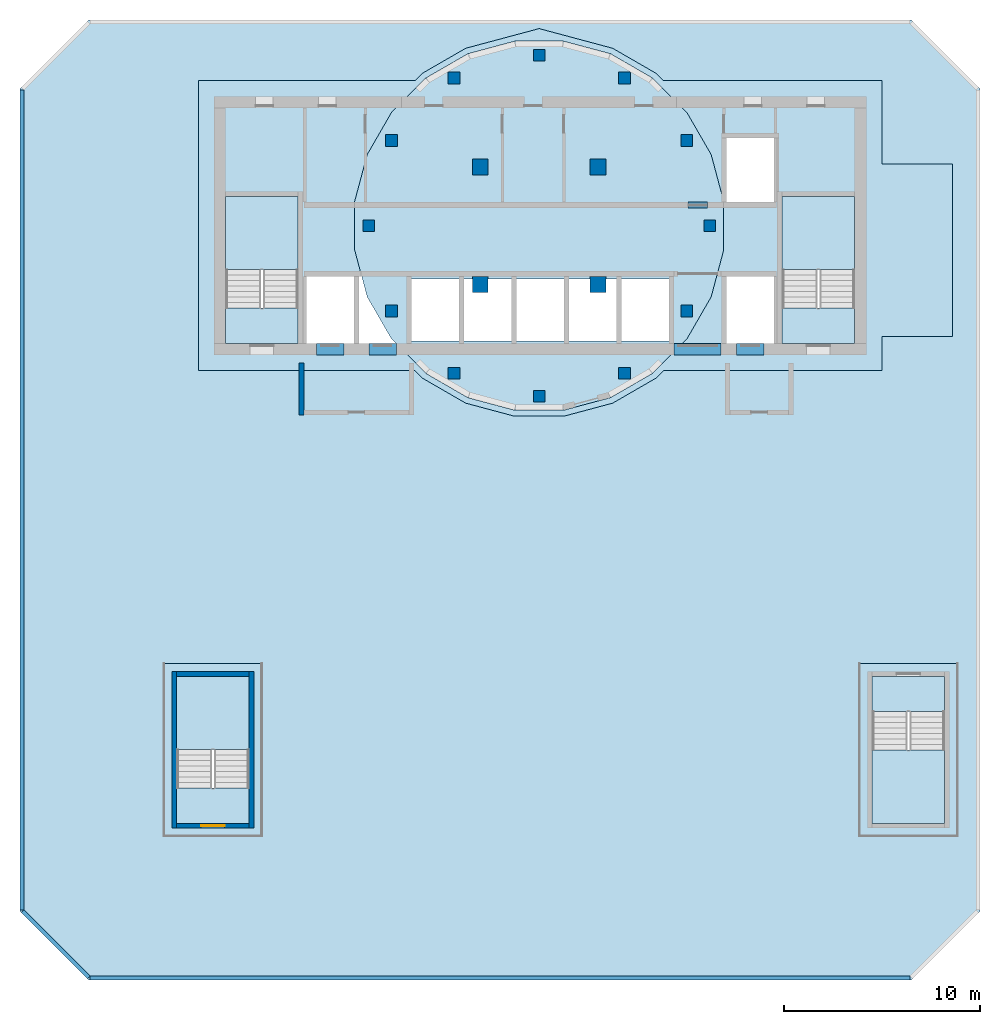
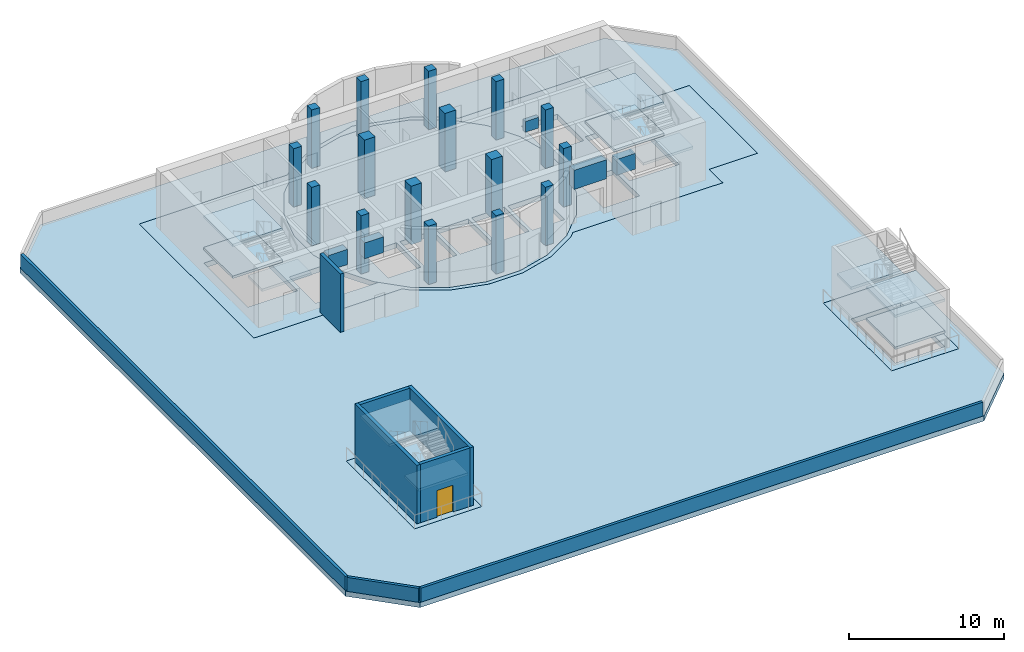
# One storey, part 1 of 7: 17 slabs, 16 columns, 8 walls, 5 beams, 1 door, 1 opening, 4 elements without a shape of their own.
"""IFC4 building model written with IfcOpenShell, lengths in metres."""

from ifc_helpers import new_model, si_unit, direction, frame, frame_2d, origin, origin_2d, place, context, subcontext, project, spatial, polyline, rectangle, outline, extrude, source, transform, mapped, material, layer, layer_set, material_profile, profile_set, type_object, element, fill, aggregate, save


model = new_model("IFC4")

# Units and contexts
model_context = context("Model", 3, precision=1e-05, world=origin(), true_north=direction((0.0, 1.0)))
body_context = subcontext(model_context, "Body", "Model", "MODEL_VIEW")
ifc_project = project(units=[si_unit("LENGTHUNIT", "METRE"), si_unit("AREAUNIT", "SQUARE_METRE"), si_unit("VOLUMEUNIT", "CUBIC_METRE"), si_unit("PLANEANGLEUNIT", "RADIAN"), si_unit("MASSUNIT", "GRAM", prefix="KILO")], contexts=[model_context])

# Site, building, storey
site_placement = place(None, origin())
site = spatial("IfcSite", under=ifc_project, at=site_placement, CompositionType="ELEMENT")
building_placement = place(site_placement, origin())
building = spatial("IfcBuilding", under=site, at=building_placement, Name="Kilnfold Tower and Market Hall", CompositionType="ELEMENT")
storey_placement = place(building_placement, frame((0.0, 0.0, 318.800048828125)))
storey = spatial("IfcBuildingStorey", under=building, at=storey_placement, Name="L80 Crown Plant", CompositionType="ELEMENT", Elevation=318.800048828125)

# Columns
ifc_material_1 = material(Name="Concrete C60", Category="concrete")
ifc_material_profile_1 = material_profile(ifc_material_1, rectangle(XDim=0.60009765625, YDim=0.60009765625, at=origin_2d()), Name="RC 600x600")
ifc_profile_set_1 = profile_set([ifc_material_profile_1], Name="Concrete C60")
column_type_1 = type_object("IfcColumnType", Name="COLUMN 600X600 C60", PredefinedType="COLUMN", material=ifc_profile_set_1)
shared_shape_1 = source(origin(), body_context, "Body", "SweptSolid", [
    extrude(rectangle(XDim=0.60009765625, YDim=0.60009765625, at=origin_2d()), origin(), (0.0, 0.0, 1.0), 4.599853515625),
])
for number, where, z_axis, x_axis, name in (
    (1, (9.699951171875, 15.0, 0.0), (0.0, 0.0, 1.0), (1.0, 0.0, 0.0), "Column CR1"),
    (2, (8.534423828125, 19.35009765625, 0.0), (0.0, 0.0, 1.0), (1.0, 0.0, 0.0), "Column CR2"),
    (3, (5.35009765625, 22.534423828125, 0.0), (0.0, 0.0, 1.0), (1.0, 0.0, 0.0), "Column CR3"),
    (4, (1.0, 23.699951171875, 0.0), (0.0, 0.0, 1.0), (1.0, 0.0, 0.0), "Column CR4"),
    (5, (-3.35009765625, 22.534423828125, 0.0), (0.0, 0.0, 1.0), (1.0, 0.0, 0.0), "Column CR5"),
    (6, (-6.534423828125, 19.35009765625, 0.0), (0.0, 0.0, 1.0), (1.0, 0.0, 0.0), "Column CR6"),
    (7, (-7.699951171875, 15.0, 0.0), (0.0, 0.0, 1.0), (1.0, 0.0, 0.0), "Column CR7"),
    (8, (-6.534423828125, 10.64990234375, 0.0), (0.0, 0.0, 1.0), (1.0, 0.0, 0.0), "Column CR8"),
    (9, (-3.35009765625, 7.465576171875, 0.0), (0.0, 0.0, 1.0), (1.0, 0.0, 0.0), "Column CR9"),
    (10, (1.0, 6.300048828125, 0.0), (0.0, 0.0, 1.0), (1.0, 0.0, 0.0), "Column CR10"),
    (11, (5.35009765625, 7.465576171875, 0.0), (0.0, 0.0, 1.0), (1.0, 0.0, 0.0), "Column CR11"),
    (12, (8.534423828125, 10.64990234375, 0.0), (0.0, 0.0, 1.0), (1.0, 0.0, 0.0), "Column CR12"),
):
    element("IfcColumn", number, at=place(storey_placement, frame(where, z_axis=z_axis, x_axis=x_axis)), inside=storey, type_object=column_type_1, Name=name, PredefinedType="COLUMN", context=body_context, shape_type="MappedRepresentation", body=[
        mapped(shared_shape_1, transform((0.0, 0.0, 0.0))),
    ])
ifc_material_2 = material(Name="Concrete C60", Category="concrete")
ifc_material_profile_2 = material_profile(ifc_material_2, rectangle(XDim=0.800048828125, YDim=0.800048828125, at=origin_2d()), Name="RC 800x800")
ifc_profile_set_2 = profile_set([ifc_material_profile_2], Name="Concrete C60")
column_type_2 = type_object("IfcColumnType", Name="COLUMN 800X800 C60", PredefinedType="COLUMN", material=ifc_profile_set_2)
shared_shape_2 = source(origin(), body_context, "Body", "SweptSolid", [
    extrude(rectangle(XDim=0.800048828125, YDim=0.800048828125, at=origin_2d()), origin(), (0.0, 0.0, 1.0), 4.599853515625),
])
for number, where, z_axis, x_axis, name in (
    (13, (-2.0, 12.0, 0.0), (0.0, 0.0, 1.0), (1.0, 0.0, 0.0), "Column ML1"),
    (14, (-2.0, 18.0, 0.0), (0.0, 0.0, 1.0), (1.0, 0.0, 0.0), "Column ML2"),
    (15, (4.0, 12.0, 0.0), (0.0, 0.0, 1.0), (1.0, 0.0, 0.0), "Column ML3"),
    (16, (4.0, 18.0, 0.0), (0.0, 0.0, 1.0), (1.0, 0.0, 0.0), "Column ML4"),
):
    element("IfcColumn", number, at=place(storey_placement, frame(where, z_axis=z_axis, x_axis=x_axis)), inside=storey, type_object=column_type_2, Name=name, PredefinedType="COLUMN", context=body_context, shape_type="MappedRepresentation", body=[
        mapped(shared_shape_2, transform((0.0, 0.0, 0.0))),
    ])

# Beams
ifc_material_3 = material(Name="Concrete C50", Category="concrete")
ifc_material_profile_3 = material_profile(ifc_material_3, rectangle(XDim=0.60009765625, YDim=1.199951171875, at=origin_2d()), Name="RC 600x1200")
ifc_profile_set_3 = profile_set([ifc_material_profile_3], Name="Concrete C50")
beam_type_1 = type_object("IfcBeamType", Name="COUPLING BEAM 600X1200 C50", PredefinedType="BEAM", material=ifc_profile_set_3)
shared_shape_3 = source(origin(), body_context, "Body", "SweptSolid", [
    extrude(rectangle(XDim=0.60009765625, YDim=1.199951171875, at=origin_2d()), origin(), (0.0, 0.0, 1.0), 1.400146484375),
])
beam_1_placement = place(storey_placement, frame((-10.3701171875, 8.699951171875, 3.300048828125), z_axis=(1.0, 0.0, 0.0), x_axis=(0.0, 1.0, 0.0)))
element("IfcBeam", 17, at=beam_1_placement, inside=storey, type_object=beam_type_1, Name="Coupling beam CB1200-50-CORE.31", PredefinedType="BEAM", context=body_context, shape_type="MappedRepresentation", body=[
    mapped(shared_shape_3, transform((0.0, 0.0, 0.0))),
])
ifc_material_4 = material(Name="Concrete C50", Category="concrete")
ifc_material_profile_4 = material_profile(ifc_material_4, rectangle(XDim=0.60009765625, YDim=1.25, at=origin_2d()), Name="RC 600x1250")
ifc_profile_set_4 = profile_set([ifc_material_profile_4], Name="Concrete C50")
beam_type_2 = type_object("IfcBeamType", Name="COUPLING BEAM 600X1250 C50", PredefinedType="BEAM", material=ifc_profile_set_4)
shared_shape_4 = source(origin(), body_context, "Body", "SweptSolid", [
    extrude(rectangle(XDim=0.60009765625, YDim=1.25, at=origin_2d()), origin(), (0.0, 0.0, 1.0), 1.39990234375),
])
for number, where, z_axis, x_axis, name in (
    (18, (-7.68994140625, 8.699951171875, 3.324951171875), (1.0, 0.0, 0.0), (0.0, 1.0, 0.0), "Coupling beam CB1250-50-CORE.33"),
    (19, (11.070068359375, 8.699951171875, 3.324951171875), (1.0, 0.0, 0.0), (0.0, 1.0, 0.0), "Coupling beam CB1250-50-CORE.37"),
):
    element("IfcBeam", number, at=place(storey_placement, frame(where, z_axis=z_axis, x_axis=x_axis)), inside=storey, type_object=beam_type_2, Name=name, PredefinedType="BEAM", context=body_context, shape_type="MappedRepresentation", body=[
        mapped(shared_shape_4, transform((0.0, 0.0, 0.0))),
    ])
ifc_material_5 = material(Name="Concrete C50", Category="concrete")
ifc_material_profile_5 = material_profile(ifc_material_5, rectangle(XDim=0.60009765625, YDim=1.5, at=origin_2d()), Name="RC 600x1500")
ifc_profile_set_5 = profile_set([ifc_material_profile_5], Name="Concrete C50")
beam_type_3 = type_object("IfcBeamType", Name="COUPLING BEAM 600X1500 C50", PredefinedType="BEAM", material=ifc_profile_set_5)
shared_shape_5 = source(origin(), body_context, "Body", "SweptSolid", [
    extrude(rectangle(XDim=0.60009765625, YDim=1.5, at=origin_2d()), origin(), (0.0, 0.0, 1.0), 2.400146484375),
])
beam_2_placement = place(storey_placement, frame((7.889892578125, 8.699951171875, 3.449951171875), z_axis=(1.0, 0.0, 0.0), x_axis=(0.0, 1.0, 0.0)))
element("IfcBeam", 20, at=beam_2_placement, inside=storey, type_object=beam_type_3, Name="Coupling beam CB1500-50-CORE.35", PredefinedType="BEAM", context=body_context, shape_type="MappedRepresentation", body=[
    mapped(shared_shape_5, transform((0.0, 0.0, 0.0))),
])
ifc_material_6 = material(Name="Concrete C50", Category="concrete")
ifc_material_profile_6 = material_profile(ifc_material_6, rectangle(XDim=0.300048828125, YDim=0.85009765625, at=origin_2d()), Name="RC 300x850")
ifc_profile_set_6 = profile_set([ifc_material_profile_6], Name="Concrete C50")
beam_type_4 = type_object("IfcBeamType", Name="COUPLING BEAM 300X850 C50", PredefinedType="BEAM", material=ifc_profile_set_6)
shared_shape_6 = source(origin(), body_context, "Body", "SweptSolid", [
    extrude(rectangle(XDim=0.300048828125, YDim=0.85009765625, at=origin_2d()), origin(), (0.0, 0.0, 1.0), 1.0),
])
beam_3_placement = place(storey_placement, frame((8.590087890625, 16.050048828125, 2.824951171875), z_axis=(1.0, 0.0, 0.0), x_axis=(0.0, 1.0, 0.0)))
element("IfcBeam", 21, at=beam_3_placement, inside=storey, type_object=beam_type_4, Name="Coupling beam CB850-50-CORE.39", PredefinedType="BEAM", context=body_context, shape_type="MappedRepresentation", body=[
    mapped(shared_shape_6, transform((0.0, 0.0, 0.0))),
])

# Slabs
ifc_material_7 = material(Name="Concrete C45", Category="concrete")
ifc_layer_1 = layer(ifc_material_7, 0.39990234375)
ifc_layer_set_1 = layer_set([ifc_layer_1], Name="Concrete C45")
slab_type_1 = type_object("IfcSlabType", Name="FLOOR SLAB 400", PredefinedType="FLOOR", material=ifc_layer_set_1)
shared_shape_7 = source(origin(), body_context, "Body", "SweptSolid", [
    extrude(outline(polyline([(-0.239990234375, 5.581298828125), (2.239990234375, 5.581298828125), (4.635498046875, 6.22314453125), (6.783203125, 7.463134765625), (8.536865234375, 9.216796875), (9.77685546875, 11.364501953125), (10.418701171875, 13.760009765625), (10.418701171875, 16.239990234375), (9.77685546875, 18.635498046875), (8.536865234375, 20.783203125), (6.783203125, 22.536865234375), (4.635498046875, 23.77685546875), (2.239990234375, 24.418701171875), (-0.239990234375, 24.418701171875), (-2.635498046875, 23.77685546875), (-4.783203125, 22.536865234375), (-6.536865234375, 20.783203125), (-7.77685546875, 18.635498046875), (-8.418701171875, 16.239990234375), (-8.418701171875, 13.760009765625), (-7.77685546875, 11.364501953125), (-6.536865234375, 9.216796875), (-4.783203125, 7.463134765625), (-2.635498046875, 6.22314453125), (-0.239990234375, 5.581298828125)]), holes=[polyline([(-3.094970703125, 9.125), (-5.52490234375, 9.125), (-5.52490234375, 12.27490234375), (-3.094970703125, 12.27490234375), (-3.094970703125, 9.125)]), polyline([(-0.4150390625, 9.125), (-2.844970703125, 9.125), (-2.844970703125, 12.27490234375), (-0.4150390625, 12.27490234375), (-0.4150390625, 9.125)]), polyline([(2.264892578125, 9.125), (-0.1650390625, 9.125), (-0.1650390625, 12.27490234375), (2.264892578125, 12.27490234375), (2.264892578125, 9.125)]), polyline([(4.945068359375, 9.125), (2.514892578125, 9.125), (2.514892578125, 12.27490234375), (4.945068359375, 12.27490234375), (4.945068359375, 9.125)]), polyline([(7.625, 9.125), (5.195068359375, 9.125), (5.195068359375, 12.27490234375), (7.625, 12.27490234375), (7.625, 9.125)])]), origin(), (0.0, 0.0, 1.0), 0.400146484375),
])
slab_1_placement = place(storey_placement, frame((0.0, 0.0, -0.400146484375)))
element("IfcSlab", 22, at=slab_1_placement, inside=storey, type_object=slab_type_1, Name="Floor slab L80", PredefinedType="FLOOR", context=body_context, shape_type="MappedRepresentation", body=[
    mapped(shared_shape_7, transform((0.0, 0.0, 0.0))),
])
ifc_material_8 = material(Name="Concrete C40/50", Category="concrete")
ifc_layer_2 = layer(ifc_material_8, 0.39990234375)
ifc_layer_set_2 = layer_set([ifc_layer_2], Name="Concrete C40/50")
slab_type_2 = type_object("IfcSlabType", Name="MAINTENANCE ROOF SLAB 400", PredefinedType="ROOF", material=ifc_layer_set_2)
shared_shape_8 = source(origin(), body_context, "Body", "SweptSolid", [
    extrude(outline(polyline([(-25.5, 22.0), (-22.0, 25.5), (0.437255859375, 25.5), (1.562744140625, 25.5), (20.0, 25.5), (23.5, 22.0), (23.5, -20.0), (20.0, -23.5), (-22.0, -23.5), (-25.5, -20.0), (-25.5, 22.0)]), holes=[polyline([(-2.751220703125, 24.056396484375), (-4.96728515625, 22.777099609375), (-5.344482421875, 22.39990234375), (-16.39990234375, 22.39990234375), (-16.39990234375, 7.60009765625), (-5.344482421875, 7.60009765625), (-4.96728515625, 7.222900390625), (-2.751220703125, 5.943603515625), (-0.279541015625, 5.28125), (2.279541015625, 5.28125), (4.751220703125, 5.943603515625), (6.96728515625, 7.222900390625), (7.344482421875, 7.60009765625), (18.5, 7.60009765625), (18.5, 9.35009765625), (22.10009765625, 9.35009765625), (22.10009765625, 18.14990234375), (18.5, 18.14990234375), (18.5, 22.39990234375), (7.344482421875, 22.39990234375), (6.96728515625, 22.777099609375), (4.751220703125, 24.056396484375), (1.0, 25.0615234375), (-2.751220703125, 24.056396484375)]), polyline([(17.35009765625, -16.14990234375), (22.35009765625, -16.14990234375), (22.35009765625, -7.35009765625), (17.35009765625, -7.35009765625), (17.35009765625, -16.14990234375)]), polyline([(-18.14990234375, -16.14990234375), (-13.14990234375, -16.14990234375), (-13.14990234375, -7.35009765625), (-18.14990234375, -7.35009765625), (-18.14990234375, -16.14990234375)])]), origin(), (0.0, 0.0, 1.0), 0.400146484375),
])
slab_2_placement = place(storey_placement, frame((0.0, 0.0, -0.400146484375)))
element("IfcSlab", 23, at=slab_2_placement, inside=storey, type_object=slab_type_2, Name="Maintenance roof slab 1", PredefinedType="ROOF", context=body_context, shape_type="MappedRepresentation", body=[
    mapped(shared_shape_8, transform((0.0, 0.0, 0.0))),
])

# Stair, slabs
ifc_material_9 = material(Name="Concrete C40/50", Category="concrete")
stair_type = type_object("IfcStairType", Name="CORE STAIR 1800", PredefinedType="HALF_TURN_STAIR", material=ifc_material_9)
stair_1_placement = place(storey_placement, origin())
stair_1 = element("IfcStair", 24, at=stair_1_placement, inside=storey, type_object=stair_type, Name="L80 Crown Plant ST1", PredefinedType="HALF_TURN_STAIR")
ifc_material_10 = material(Name="Concrete C40/50", Category="concrete")
ifc_layer_3 = layer(ifc_material_10, 0.199951171875)
ifc_layer_set_3 = layer_set([ifc_layer_3], Name="Concrete C40/50")
slab_type_3 = type_object("IfcSlabType", Name="CORE STAIR LANDING 200", PredefinedType="LANDING", material=ifc_layer_set_3)
shared_shape_9 = source(origin(), body_context, "Body", "SweptSolid", [
    extrude(outline(polyline([(-11.300048828125, 9.0), (-11.300048828125, 10.800048828125), (-15.0, 10.800048828125), (-15.0, 9.0), (-11.300048828125, 9.0)])), origin(), (0.0, 0.0, 1.0), 0.199951171875),
])
slab_3_placement = place(storey_placement, frame((0.0, 0.0, 2.300048828125)))
slab_3 = element("IfcSlab", 25, at=slab_3_placement, type_object=slab_type_3, Name="ST1 landing 2", PredefinedType="LANDING", context=body_context, shape_type="MappedRepresentation", body=[
    mapped(shared_shape_9, transform((0.0, 0.0, 0.0))),
])
shared_shape_10 = source(origin(), body_context, "Body", "SweptSolid", [
    extrude(outline(polyline([(-11.300048828125, 12.760009765625), (-11.300048828125, 16.5), (-15.0, 16.5), (-15.0, 12.760009765625), (-11.300048828125, 12.760009765625)])), origin(), (0.0, 0.0, 1.0), 0.199951171875),
])
slab_4_placement = place(storey_placement, frame((0.0, 0.0, 1.050048828125)))
slab_4 = element("IfcSlab", 26, at=slab_4_placement, type_object=slab_type_3, Name="ST1 landing 1", PredefinedType="LANDING", context=body_context, shape_type="MappedRepresentation", body=[
    mapped(shared_shape_10, transform((0.0, 0.0, 0.0))),
])
slab_5_placement = place(storey_placement, frame((0.0, 0.0, 3.550048828125)))
slab_5 = element("IfcSlab", 27, at=slab_5_placement, type_object=slab_type_3, Name="ST1 landing 3", PredefinedType="LANDING", context=body_context, shape_type="MappedRepresentation", body=[
    mapped(shared_shape_10, transform((0.0, 0.0, 0.0))),
])
aggregate(stair_1, [slab_4, slab_3, slab_5])

stair_2_placement = place(storey_placement, origin())
stair_2 = element("IfcStair", 28, at=stair_2_placement, inside=storey, type_object=stair_type, Name="L80 Crown Plant ST2", PredefinedType="HALF_TURN_STAIR")
shared_shape_11 = source(origin(), body_context, "Body", "SweptSolid", [
    extrude(outline(polyline([(17.10009765625, 9.0), (17.10009765625, 10.800048828125), (13.39990234375, 10.800048828125), (13.39990234375, 9.0), (17.10009765625, 9.0)])), origin(), (0.0, 0.0, 1.0), 0.199951171875),
])
slab_6_placement = place(storey_placement, frame((0.0, 0.0, 2.300048828125)))
slab_6 = element("IfcSlab", 29, at=slab_6_placement, type_object=slab_type_3, Name="ST2 landing 2", PredefinedType="LANDING", context=body_context, shape_type="MappedRepresentation", body=[
    mapped(shared_shape_11, transform((0.0, 0.0, 0.0))),
])
shared_shape_12 = source(origin(), body_context, "Body", "SweptSolid", [
    extrude(outline(polyline([(17.10009765625, 12.760009765625), (17.10009765625, 16.5), (13.39990234375, 16.5), (13.39990234375, 12.760009765625), (17.10009765625, 12.760009765625)])), origin(), (0.0, 0.0, 1.0), 0.199951171875),
])
slab_7_placement = place(storey_placement, frame((0.0, 0.0, 1.050048828125)))
slab_7 = element("IfcSlab", 30, at=slab_7_placement, type_object=slab_type_3, Name="ST2 landing 1", PredefinedType="LANDING", context=body_context, shape_type="MappedRepresentation", body=[
    mapped(shared_shape_12, transform((0.0, 0.0, 0.0))),
])
slab_8_placement = place(storey_placement, frame((0.0, 0.0, 3.550048828125)))
slab_8 = element("IfcSlab", 31, at=slab_8_placement, type_object=slab_type_3, Name="ST2 landing 3", PredefinedType="LANDING", context=body_context, shape_type="MappedRepresentation", body=[
    mapped(shared_shape_12, transform((0.0, 0.0, 0.0))),
])
aggregate(stair_2, [slab_7, slab_6, slab_8])

stair_3_placement = place(storey_placement, origin())
stair_3 = element("IfcStair", 32, at=stair_3_placement, inside=storey, type_object=stair_type, Name="L80 Crown Plant ST3", PredefinedType="HALF_TURN_STAIR")
shared_shape_13 = source(origin(), body_context, "Body", "SweptSolid", [
    extrude(outline(polyline([(-13.800048828125, -15.5), (-13.800048828125, -13.699951171875), (-17.5, -13.699951171875), (-17.5, -15.5), (-13.800048828125, -15.5)])), origin(), (0.0, 0.0, 1.0), 0.199951171875),
])
slab_9_placement = place(storey_placement, frame((0.0, 0.0, 2.300048828125)))
slab_9 = element("IfcSlab", 33, at=slab_9_placement, type_object=slab_type_3, Name="ST3 landing 2", PredefinedType="LANDING", context=body_context, shape_type="MappedRepresentation", body=[
    mapped(shared_shape_13, transform((0.0, 0.0, 0.0))),
])
shared_shape_14 = source(origin(), body_context, "Body", "SweptSolid", [
    extrude(outline(polyline([(-13.800048828125, -11.739990234375), (-13.800048828125, -8.0), (-17.5, -8.0), (-17.5, -11.739990234375), (-13.800048828125, -11.739990234375)])), origin(), (0.0, 0.0, 1.0), 0.199951171875),
])
slab_10_placement = place(storey_placement, frame((0.0, 0.0, 1.050048828125)))
slab_10 = element("IfcSlab", 34, at=slab_10_placement, type_object=slab_type_3, Name="ST3 landing 1", PredefinedType="LANDING", context=body_context, shape_type="MappedRepresentation", body=[
    mapped(shared_shape_14, transform((0.0, 0.0, 0.0))),
])
slab_11_placement = place(storey_placement, frame((0.0, 0.0, 3.550048828125)))
slab_11 = element("IfcSlab", 35, at=slab_11_placement, type_object=slab_type_3, Name="ST3 landing 3", PredefinedType="LANDING", context=body_context, shape_type="MappedRepresentation", body=[
    mapped(shared_shape_14, transform((0.0, 0.0, 0.0))),
])
aggregate(stair_3, [slab_10, slab_9, slab_11])

stair_4_placement = place(storey_placement, origin())
stair_4 = element("IfcStair", 36, at=stair_4_placement, inside=storey, type_object=stair_type, Name="L80 Crown Plant ST4", PredefinedType="HALF_TURN_STAIR")
shared_shape_15 = source(origin(), body_context, "Body", "SweptSolid", [
    extrude(outline(polyline([(18.0, -8.0), (18.0, -9.800048828125), (21.699951171875, -9.800048828125), (21.699951171875, -8.0), (18.0, -8.0)])), origin(), (0.0, 0.0, 1.0), 0.199951171875),
])
slab_12_placement = place(storey_placement, frame((0.0, 0.0, 2.300048828125)))
slab_12 = element("IfcSlab", 37, at=slab_12_placement, type_object=slab_type_3, Name="ST4 landing 2", PredefinedType="LANDING", context=body_context, shape_type="MappedRepresentation", body=[
    mapped(shared_shape_15, transform((0.0, 0.0, 0.0))),
])
shared_shape_16 = source(origin(), body_context, "Body", "SweptSolid", [
    extrude(outline(polyline([(18.0, -11.760009765625), (18.0, -15.5), (21.699951171875, -15.5), (21.699951171875, -11.760009765625), (18.0, -11.760009765625)])), origin(), (0.0, 0.0, 1.0), 0.199951171875),
])
slab_13_placement = place(storey_placement, frame((0.0, 0.0, 1.050048828125)))
slab_13 = element("IfcSlab", 38, at=slab_13_placement, type_object=slab_type_3, Name="ST4 landing 1", PredefinedType="LANDING", context=body_context, shape_type="MappedRepresentation", body=[
    mapped(shared_shape_16, transform((0.0, 0.0, 0.0))),
])
slab_14_placement = place(storey_placement, frame((0.0, 0.0, 3.550048828125)))
slab_14 = element("IfcSlab", 39, at=slab_14_placement, type_object=slab_type_3, Name="ST4 landing 3", PredefinedType="LANDING", context=body_context, shape_type="MappedRepresentation", body=[
    mapped(shared_shape_16, transform((0.0, 0.0, 0.0))),
])
aggregate(stair_4, [slab_13, slab_12, slab_14])

# Slabs
ifc_material_11 = material(Name="Concrete C40/50", Category="concrete")
ifc_layer_4 = layer(ifc_material_11, 0.39990234375)
ifc_layer_set_4 = layer_set([ifc_layer_4], Name="Concrete C40/50")
slab_type_4 = type_object("IfcSlabType", Name="CROWN CORE FLOOR SLAB 400", PredefinedType="FLOOR", material=ifc_layer_set_4)
shared_shape_17 = source(origin(), body_context, "Body", "SweptSolid", [
    extrude(outline(polyline([(-13.14990234375, -16.14990234375), (-18.14990234375, -16.14990234375), (-18.14990234375, -7.35009765625), (-13.14990234375, -7.35009765625), (-13.14990234375, -16.14990234375)]), holes=[polyline([(-13.800537109375, -13.699462890625), (-13.800537109375, -8.00048828125), (-17.49951171875, -8.00048828125), (-17.49951171875, -13.699462890625), (-13.800537109375, -13.699462890625)])]), origin(), (0.0, 0.0, 1.0), 0.400146484375),
])
slab_15_placement = place(storey_placement, frame((0.0, 0.0, -0.400146484375)))
element("IfcSlab", 40, at=slab_15_placement, inside=storey, type_object=slab_type_4, Name="Crown core floor slab", PredefinedType="FLOOR", context=body_context, shape_type="MappedRepresentation", body=[
    mapped(shared_shape_17, transform((0.0, 0.0, 0.0))),
])
shared_shape_18 = source(origin(), body_context, "Body", "SweptSolid", [
    extrude(outline(polyline([(17.35009765625, -16.14990234375), (17.35009765625, -7.35009765625), (22.35009765625, -7.35009765625), (22.35009765625, -16.14990234375), (17.35009765625, -16.14990234375)]), holes=[polyline([(21.699462890625, -9.800537109375), (18.00048828125, -9.800537109375), (18.00048828125, -15.49951171875), (21.699462890625, -15.49951171875), (21.699462890625, -9.800537109375)])]), origin(), (0.0, 0.0, 1.0), 0.400146484375),
])
slab_16_placement = place(storey_placement, frame((0.0, 0.0, -0.400146484375)))
element("IfcSlab", 41, at=slab_16_placement, inside=storey, type_object=slab_type_4, Name="Crown core floor slab", PredefinedType="FLOOR", context=body_context, shape_type="MappedRepresentation", body=[
    mapped(shared_shape_18, transform((0.0, 0.0, 0.0))),
])
shared_shape_19 = source(origin(), body_context, "Body", "SweptSolid", [
    extrude(outline(polyline([(-2.751220703125, 5.943603515625), (-4.96728515625, 7.222900390625), (-5.344482421875, 7.60009765625), (-16.39990234375, 7.60009765625), (-16.39990234375, 22.39990234375), (-5.344482421875, 22.39990234375), (-4.96728515625, 22.777099609375), (-2.751220703125, 24.056396484375), (1.0, 25.0615234375), (4.751220703125, 24.056396484375), (6.96728515625, 22.777099609375), (7.344482421875, 22.39990234375), (18.5, 22.39990234375), (18.5, 18.14990234375), (22.10009765625, 18.14990234375), (22.10009765625, 9.35009765625), (18.5, 9.35009765625), (18.5, 7.60009765625), (7.344482421875, 7.60009765625), (6.96728515625, 7.222900390625), (4.751220703125, 5.943603515625), (2.279541015625, 5.28125), (-0.279541015625, 5.28125), (-2.751220703125, 5.943603515625)]), holes=[polyline([(-2.635498046875, 23.77685546875), (-4.783203125, 22.536865234375), (-6.536865234375, 20.783203125), (-7.77685546875, 18.635498046875), (-8.418701171875, 16.239990234375), (-8.418701171875, 13.760009765625), (-8.05419921875, 12.39990234375), (-8.330078125, 12.39990234375), (-11.010009765625, 12.39990234375), (-11.010009765625, 9.0), (-8.330078125, 9.0), (-6.320068359375, 9.0), (-4.783203125, 7.463134765625), (-2.635498046875, 6.22314453125), (-0.239990234375, 5.581298828125), (2.239990234375, 5.581298828125), (4.635498046875, 6.22314453125), (6.783203125, 7.463134765625), (8.536865234375, 9.216796875), (9.77685546875, 11.364501953125), (10.418701171875, 13.760009765625), (10.418701171875, 16.239990234375), (9.77685546875, 18.635498046875), (8.536865234375, 20.783203125), (6.783203125, 22.536865234375), (4.635498046875, 23.77685546875), (2.239990234375, 24.418701171875), (-0.239990234375, 24.418701171875), (-2.635498046875, 23.77685546875)]), polyline([(10.429931640625, 9.0), (13.110107421875, 9.0), (13.110107421875, 12.39990234375), (10.429931640625, 12.39990234375), (10.429931640625, 9.0)]), polyline([(13.110107421875, 19.60009765625), (10.429931640625, 19.60009765625), (10.429931640625, 16.199951171875), (13.110107421875, 16.199951171875), (13.110107421875, 19.60009765625)]), polyline([(-14.99951171875, 16.49951171875), (-14.99951171875, 10.800537109375), (-11.300537109375, 10.800537109375), (-11.300537109375, 16.49951171875), (-14.99951171875, 16.49951171875)]), polyline([(17.099609375, 16.49951171875), (13.400390625, 16.49951171875), (13.400390625, 10.800537109375), (17.099609375, 10.800537109375), (17.099609375, 16.49951171875)])]), origin(), (0.0, 0.0, 1.0), 0.400146484375),
])
slab_17_placement = place(storey_placement, frame((0.0, 0.0, -0.400146484375)))
element("IfcSlab", 42, at=slab_17_placement, inside=storey, type_object=slab_type_4, Name="Crown core floor slab", PredefinedType="FLOOR", context=body_context, shape_type="MappedRepresentation", body=[
    mapped(shared_shape_19, transform((0.0, 0.0, 0.0))),
])

# Wall, opening, door
ifc_material_12 = material(Name="Concrete C50", Category="concrete")
ifc_layer_5 = layer(ifc_material_12, 0.25)
ifc_layer_set_5 = layer_set([ifc_layer_5], Name="Concrete C50")
wall_type_1 = type_object("IfcWallType", Name="CORE WALL 250 C50", PredefinedType="SHEAR", material=ifc_layer_set_5)
shared_shape_20 = source(origin(), body_context, "Body", "SweptSolid", [
    extrude(rectangle(XDim=3.699951171875, YDim=0.25, at=frame_2d((1.85009765625, 0.0))), origin(), (0.0, 0.0, 1.0), 5.0),
])
wall_1_placement = place(storey_placement, frame((-17.5, -15.625, -0.400146484375), z_axis=(0.0, 0.0, 1.0), x_axis=(1.0, 0.0, 0.0)))
wall_1 = element("IfcWall", 43, at=wall_1_placement, inside=storey, type_object=wall_type_1, Name="Stair enclosure ST3", PredefinedType="SHEAR", context=body_context, shape_type="MappedRepresentation", body=[
    mapped(shared_shape_20, transform((0.0, 0.0, 0.0))),
])
opening_placement = place(wall_1_placement, frame((1.25, 0.0, 0.39990234375)))
opening = element("IfcOpeningElement", 44, at=opening_placement, cuts=wall_1, Name="Opening SD1", PredefinedType="OPENING", context=body_context, shape_type="SweptSolid", body=[
    extrude(rectangle(XDim=1.199951171875, YDim=2.10009765625, at=frame_2d((0.60009765625, 1.050048828125))), frame((0.0, 0.135009765625, 0.0), z_axis=(0.0, -1.0, 0.0), x_axis=(1.0, 0.0, 0.0)), (0.0, 0.0, 1.0), 0.27001953125),
])
ifc_material_13 = material(Name="Steel door set with fire-resisting leaf", Category="steel")
door_type = type_object("IfcDoorType", Name="STAIR FLOOR DOOR 1200X2100", OperationType="NOTDEFINED", PredefinedType="DOOR", material=ifc_material_13)
door_placement = place(opening_placement, origin())
door = element("IfcDoor", 45, at=door_placement, inside=storey, type_object=door_type, Name="Exit stair ST3 door", OperationType="DOUBLE_DOOR_SINGLE_SWING", OverallHeight=2.10009765625, OverallWidth=1.199951171875, PredefinedType="DOOR", context=body_context, shape_type="SweptSolid", body=[
    extrude(rectangle(XDim=1.199951171875, YDim=2.10009765625, at=frame_2d((0.60009765625, 1.050048828125))), frame((0.0, 0.02490234375, 0.0), z_axis=(0.0, -1.0, 0.0), x_axis=(1.0, 0.0, 0.0)), (0.0, 0.0, 1.0), 0.050048828125),
])
fill(opening, door)

# Walls
wall_2_placement = place(storey_placement, frame((-17.5, -7.875, -0.400146484375), z_axis=(0.0, 0.0, 1.0), x_axis=(1.0, 0.0, 0.0)))
element("IfcWall", 46, at=wall_2_placement, inside=storey, type_object=wall_type_1, Name="Stair enclosure ST3", PredefinedType="SHEAR", context=body_context, shape_type="MappedRepresentation", body=[
    mapped(shared_shape_20, transform((0.0, 0.0, 0.0))),
])
shared_shape_21 = source(origin(), body_context, "Body", "SweptSolid", [
    extrude(rectangle(XDim=8.0, YDim=0.25, at=frame_2d((4.0, 0.0))), origin(), (0.0, 0.0, 1.0), 5.0),
])
for number, where, z_axis, x_axis, name in (
    (47, (-17.625, -15.75, -0.400146484375), (0.0, 0.0, 1.0), (0.0, 1.0, 0.0), "Stair enclosure ST3"),
    (48, (-13.675048828125, -15.75, -0.400146484375), (0.0, 0.0, 1.0), (0.0, 1.0, 0.0), "Stair enclosure ST3"),
):
    element("IfcWall", number, at=place(storey_placement, frame(where, z_axis=z_axis, x_axis=x_axis)), inside=storey, type_object=wall_type_1, Name=name, PredefinedType="SHEAR", context=body_context, shape_type="MappedRepresentation", body=[
        mapped(shared_shape_21, transform((0.0, 0.0, 0.0))),
    ])
ifc_material_14 = material(Name="Precast concrete C50/60", Category="concrete")
ifc_layer_6 = layer(ifc_material_14, 0.199951171875)
ifc_layer_set_6 = layer_set([ifc_layer_6], Name="Precast concrete C50/60")
wall_type_2 = type_object("IfcWallType", Name="PARAPET WALL 200", PredefinedType="PARAPET", material=ifc_layer_set_6)
shared_shape_22 = source(origin(), body_context, "Body", "SweptSolid", [
    extrude(rectangle(XDim=4.783935546875, YDim=0.199951171875, at=frame_2d((2.39208984375, 0.0))), origin(), (0.0, 0.0, 1.0), 1.099853515625),
])
wall_3_placement = place(storey_placement, frame((-21.98779296875, -23.37060546875, 0.0), z_axis=(0.0, 0.0, 1.0), x_axis=(-0.707106781187, 0.707106781187, 0.0)))
element("IfcWall", 49, at=wall_3_placement, inside=storey, type_object=wall_type_2, Name="Maintenance roof parapet 1.7", PredefinedType="PARAPET", context=body_context, shape_type="MappedRepresentation", body=[
    mapped(shared_shape_22, transform((0.0, 0.0, 0.0))),
])
shared_shape_23 = source(origin(), body_context, "Body", "SweptSolid", [
    extrude(rectangle(XDim=41.83447265625, YDim=0.199951171875, at=frame_2d((20.917236328125, 0.0))), origin(), (0.0, 0.0, 1.0), 1.099853515625),
])
for number, where, z_axis, x_axis, name in (
    (50, (19.917236328125, -23.39990234375, 0.0), (0.0, 0.0, 1.0), (-1.0, 0.0, 0.0), "Maintenance roof parapet 1.6"),
    (51, (-25.39990234375, -19.917236328125, 0.0), (0.0, 0.0, 1.0), (0.0, 1.0, 0.0), "Maintenance roof parapet 1.8"),
):
    element("IfcWall", number, at=place(storey_placement, frame(where, z_axis=z_axis, x_axis=x_axis)), inside=storey, type_object=wall_type_2, Name=name, PredefinedType="PARAPET", context=body_context, shape_type="MappedRepresentation", body=[
        mapped(shared_shape_23, transform((0.0, 0.0, 0.0))),
    ])
ifc_material_15 = material(Name="Gypsum shaft wall system")
ifc_layer_7 = layer(ifc_material_15, 0.25)
ifc_layer_set_7 = layer_set([ifc_layer_7], Name="Gypsum shaft wall system")
wall_type_3 = type_object("IfcWallType", Name="LOBBY WALL 250", PredefinedType="PARTITIONING", material=ifc_layer_set_7)
shared_shape_24 = source(origin(), body_context, "Body", "SweptSolid", [
    extrude(rectangle(XDim=2.64990234375, YDim=0.25, at=frame_2d((1.324951171875, 0.0))), origin(), (0.0, 0.0, 1.0), 4.599853515625),
])
wall_4_placement = place(storey_placement, frame((-11.135009765625, 5.35009765625, 0.0), z_axis=(0.0, 0.0, 1.0), x_axis=(0.0, 1.0, 0.0)))
element("IfcWall", 52, at=wall_4_placement, inside=storey, type_object=wall_type_3, Name="Firefighting lobby wall", PredefinedType="PARTITIONING", context=body_context, shape_type="MappedRepresentation", body=[
    mapped(shared_shape_24, transform((0.0, 0.0, 0.0))),
])

save(model, "model.ifc")
